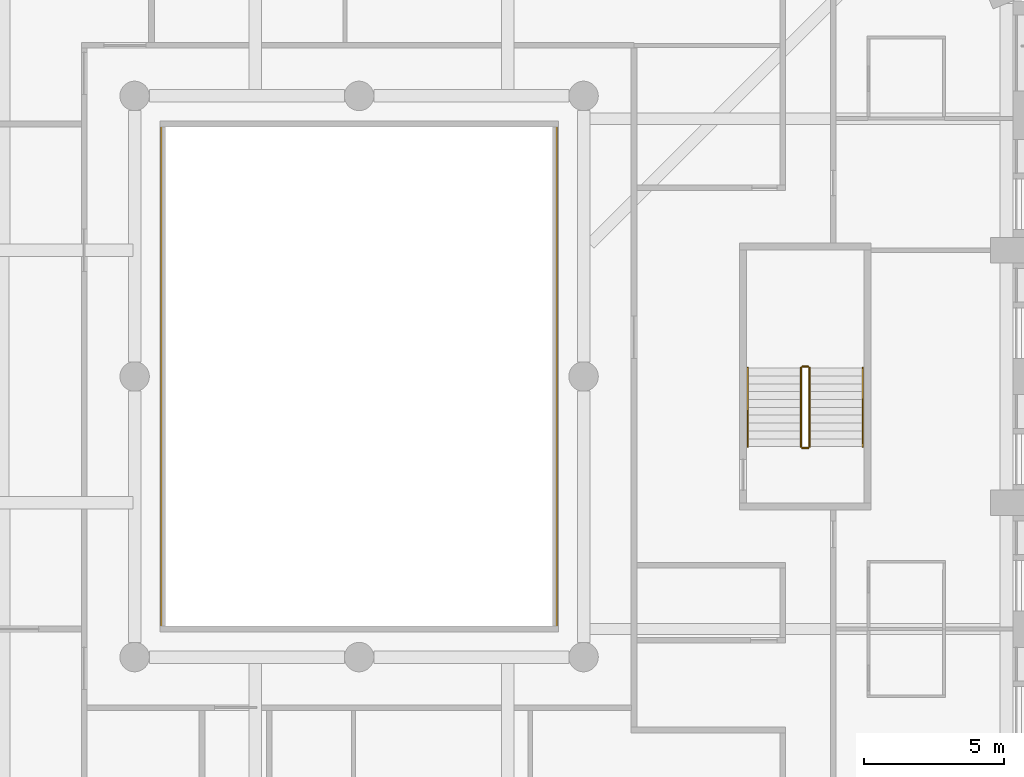
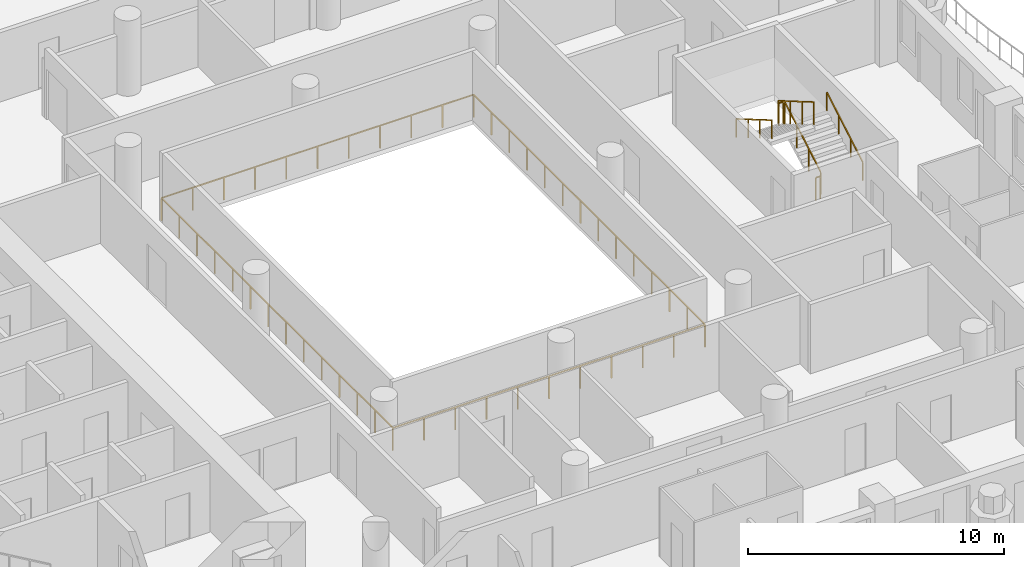
# One storey, part 15 of 20: 7 railings.
"""IFC4 building model written with IfcOpenShell, lengths in metres."""

from ifc_helpers import new_model, si_unit, direction, frame, origin, origin_2d, place, context, subcontext, project, spatial, rectangle, extrude, material, type_object, element, save


model = new_model("IFC4")

# Units and contexts
model_context = context("Model", 3, precision=1e-05, world=origin(), true_north=direction((0.0, 1.0)))
body_context = subcontext(model_context, "Body", "Model", "MODEL_VIEW")
ifc_project = project(units=[si_unit("LENGTHUNIT", "METRE"), si_unit("AREAUNIT", "SQUARE_METRE"), si_unit("VOLUMEUNIT", "CUBIC_METRE"), si_unit("PLANEANGLEUNIT", "RADIAN"), si_unit("MASSUNIT", "GRAM", prefix="KILO")], contexts=[model_context])

# Site, building, storey
site_placement = place(None, origin())
site = spatial("IfcSite", under=ifc_project, at=site_placement, CompositionType="ELEMENT")
building_placement = place(site_placement, origin())
building = spatial("IfcBuilding", under=site, at=building_placement, Name="Cypress Arch Tower", CompositionType="ELEMENT")
storey_placement = place(building_placement, frame((0.0, 0.0, 123.89990234375)))
storey = spatial("IfcBuildingStorey", under=building, at=storey_placement, Name="L26", CompositionType="ELEMENT", Elevation=123.89990234375)

# Railings
ifc_material_1 = material(Name="Stainless steel posts and handrail, laminated glass infill", Category="steel")
railing_type_1 = type_object("IfcRailingType", Name="Atrium guard GR1100A", PredefinedType="GUARDRAIL", material=ifc_material_1)
railing_1_placement = place(storey_placement, frame((8.050048828125, -9.050048828125, 0.0)))
element("IfcRailing", 1, at=railing_1_placement, inside=storey, type_object=railing_type_1, Name="Atrium guard L26", PredefinedType="GUARDRAIL", context=body_context, shape_type="SweptSolid", body=[
    extrude(rectangle(XDim=0.050048828125, YDim=0.050048828125, at=origin_2d()), frame((0.0, 0.0, 1.0751953125), z_axis=(-1.0, 0.0, 0.0), x_axis=(0.0, -1.0, 0.0)), (0.0, 0.0, 1.0), 14.10009765625),
    extrude(rectangle(XDim=0.050048828125, YDim=0.050048828125, at=origin_2d()), frame((-14.10009765625, 0.0, 1.0751953125), z_axis=(0.0, 1.0, 0.0), x_axis=(-1.0, 0.0, 0.0)), (0.0, 0.0, 1.0), 18.10009765625),
    extrude(rectangle(XDim=0.050048828125, YDim=0.050048828125, at=origin_2d()), frame((-14.10009765625, 18.10009765625, 1.0751953125), z_axis=(1.0, 0.0, 0.0), x_axis=(0.0, 1.0, 0.0)), (0.0, 0.0, 1.0), 14.10009765625),
    extrude(rectangle(XDim=0.050048828125, YDim=0.050048828125, at=origin_2d()), frame((0.0, 18.10009765625, 1.0751953125), z_axis=(0.0, -1.0, 0.0), x_axis=(1.0, 0.0, 0.0)), (0.0, 0.0, 1.0), 18.10009765625),
    extrude(rectangle(XDim=0.050048828125, YDim=0.050048828125, at=origin_2d()), origin(), (0.0, 0.0, 1.0), 1.050048828125),
    extrude(rectangle(XDim=0.050048828125, YDim=0.050048828125, at=origin_2d()), frame((-1.409912109375, 0.0, 0.0)), (0.0, 0.0, 1.0), 1.050048828125),
    extrude(rectangle(XDim=0.050048828125, YDim=0.050048828125, at=origin_2d()), frame((-2.820068359375, 0.0, 0.0)), (0.0, 0.0, 1.0), 1.050048828125),
    extrude(rectangle(XDim=0.050048828125, YDim=0.050048828125, at=origin_2d()), frame((-4.22998046875, 0.0, 0.0)), (0.0, 0.0, 1.0), 1.050048828125),
    extrude(rectangle(XDim=0.050048828125, YDim=0.050048828125, at=origin_2d()), frame((-5.64013671875, 0.0, 0.0)), (0.0, 0.0, 1.0), 1.050048828125),
    extrude(rectangle(XDim=0.050048828125, YDim=0.050048828125, at=origin_2d()), frame((-7.050048828125, 0.0, 0.0)), (0.0, 0.0, 1.0), 1.050048828125),
    extrude(rectangle(XDim=0.050048828125, YDim=0.050048828125, at=origin_2d()), frame((-8.4599609375, 0.0, 0.0)), (0.0, 0.0, 1.0), 1.050048828125),
    extrude(rectangle(XDim=0.050048828125, YDim=0.050048828125, at=origin_2d()), frame((-9.8701171875, 0.0, 0.0)), (0.0, 0.0, 1.0), 1.050048828125),
    extrude(rectangle(XDim=0.050048828125, YDim=0.050048828125, at=origin_2d()), frame((-11.280029296875, 0.0, 0.0)), (0.0, 0.0, 1.0), 1.050048828125),
    extrude(rectangle(XDim=0.050048828125, YDim=0.050048828125, at=origin_2d()), frame((-12.690185546875, 0.0, 0.0)), (0.0, 0.0, 1.0), 1.050048828125),
    extrude(rectangle(XDim=0.050048828125, YDim=0.050048828125, at=origin_2d()), frame((-14.10009765625, 0.0, 0.0)), (0.0, 0.0, 1.0), 1.050048828125),
    extrude(rectangle(XDim=0.050048828125, YDim=0.050048828125, at=origin_2d()), frame((-14.10009765625, 1.392333984375, 0.0)), (0.0, 0.0, 1.0), 1.050048828125),
    extrude(rectangle(XDim=0.050048828125, YDim=0.050048828125, at=origin_2d()), frame((-14.10009765625, 2.78466796875, 0.0)), (0.0, 0.0, 1.0), 1.050048828125),
    extrude(rectangle(XDim=0.050048828125, YDim=0.050048828125, at=origin_2d()), frame((-14.10009765625, 4.177001953125, 0.0)), (0.0, 0.0, 1.0), 1.050048828125),
    extrude(rectangle(XDim=0.050048828125, YDim=0.050048828125, at=origin_2d()), frame((-14.10009765625, 5.5693359375, 0.0)), (0.0, 0.0, 1.0), 1.050048828125),
    extrude(rectangle(XDim=0.050048828125, YDim=0.050048828125, at=origin_2d()), frame((-14.10009765625, 6.961669921875, 0.0)), (0.0, 0.0, 1.0), 1.050048828125),
    extrude(rectangle(XDim=0.050048828125, YDim=0.050048828125, at=origin_2d()), frame((-14.10009765625, 8.35400390625, 0.0)), (0.0, 0.0, 1.0), 1.050048828125),
    extrude(rectangle(XDim=0.050048828125, YDim=0.050048828125, at=origin_2d()), frame((-14.10009765625, 9.74609375, 0.0)), (0.0, 0.0, 1.0), 1.050048828125),
    extrude(rectangle(XDim=0.050048828125, YDim=0.050048828125, at=origin_2d()), frame((-14.10009765625, 11.138427734375, 0.0)), (0.0, 0.0, 1.0), 1.050048828125),
    extrude(rectangle(XDim=0.050048828125, YDim=0.050048828125, at=origin_2d()), frame((-14.10009765625, 12.53076171875, 0.0)), (0.0, 0.0, 1.0), 1.050048828125),
    extrude(rectangle(XDim=0.050048828125, YDim=0.050048828125, at=origin_2d()), frame((-14.10009765625, 13.923095703125, 0.0)), (0.0, 0.0, 1.0), 1.050048828125),
    extrude(rectangle(XDim=0.050048828125, YDim=0.050048828125, at=origin_2d()), frame((-14.10009765625, 15.3154296875, 0.0)), (0.0, 0.0, 1.0), 1.050048828125),
    extrude(rectangle(XDim=0.050048828125, YDim=0.050048828125, at=origin_2d()), frame((-14.10009765625, 16.707763671875, 0.0)), (0.0, 0.0, 1.0), 1.050048828125),
    extrude(rectangle(XDim=0.050048828125, YDim=0.050048828125, at=origin_2d()), frame((-14.10009765625, 18.10009765625, 0.0)), (0.0, 0.0, 1.0), 1.050048828125),
    extrude(rectangle(XDim=0.050048828125, YDim=0.050048828125, at=origin_2d()), frame((-12.690185546875, 18.10009765625, 0.0)), (0.0, 0.0, 1.0), 1.050048828125),
    extrude(rectangle(XDim=0.050048828125, YDim=0.050048828125, at=origin_2d()), frame((-11.280029296875, 18.10009765625, 0.0)), (0.0, 0.0, 1.0), 1.050048828125),
    extrude(rectangle(XDim=0.050048828125, YDim=0.050048828125, at=origin_2d()), frame((-9.8701171875, 18.10009765625, 0.0)), (0.0, 0.0, 1.0), 1.050048828125),
    extrude(rectangle(XDim=0.050048828125, YDim=0.050048828125, at=origin_2d()), frame((-8.4599609375, 18.10009765625, 0.0)), (0.0, 0.0, 1.0), 1.050048828125),
    extrude(rectangle(XDim=0.050048828125, YDim=0.050048828125, at=origin_2d()), frame((-7.050048828125, 18.10009765625, 0.0)), (0.0, 0.0, 1.0), 1.050048828125),
    extrude(rectangle(XDim=0.050048828125, YDim=0.050048828125, at=origin_2d()), frame((-5.64013671875, 18.10009765625, 0.0)), (0.0, 0.0, 1.0), 1.050048828125),
    extrude(rectangle(XDim=0.050048828125, YDim=0.050048828125, at=origin_2d()), frame((-4.22998046875, 18.10009765625, 0.0)), (0.0, 0.0, 1.0), 1.050048828125),
    extrude(rectangle(XDim=0.050048828125, YDim=0.050048828125, at=origin_2d()), frame((-2.820068359375, 18.10009765625, 0.0)), (0.0, 0.0, 1.0), 1.050048828125),
    extrude(rectangle(XDim=0.050048828125, YDim=0.050048828125, at=origin_2d()), frame((-1.409912109375, 18.10009765625, 0.0)), (0.0, 0.0, 1.0), 1.050048828125),
    extrude(rectangle(XDim=0.050048828125, YDim=0.050048828125, at=origin_2d()), frame((0.0, 18.10009765625, 0.0)), (0.0, 0.0, 1.0), 1.050048828125),
    extrude(rectangle(XDim=0.050048828125, YDim=0.050048828125, at=origin_2d()), frame((0.0, 16.707763671875, 0.0)), (0.0, 0.0, 1.0), 1.050048828125),
    extrude(rectangle(XDim=0.050048828125, YDim=0.050048828125, at=origin_2d()), frame((0.0, 15.3154296875, 0.0)), (0.0, 0.0, 1.0), 1.050048828125),
    extrude(rectangle(XDim=0.050048828125, YDim=0.050048828125, at=origin_2d()), frame((0.0, 13.923095703125, 0.0)), (0.0, 0.0, 1.0), 1.050048828125),
    extrude(rectangle(XDim=0.050048828125, YDim=0.050048828125, at=origin_2d()), frame((0.0, 12.53076171875, 0.0)), (0.0, 0.0, 1.0), 1.050048828125),
    extrude(rectangle(XDim=0.050048828125, YDim=0.050048828125, at=origin_2d()), frame((0.0, 11.138427734375, 0.0)), (0.0, 0.0, 1.0), 1.050048828125),
    extrude(rectangle(XDim=0.050048828125, YDim=0.050048828125, at=origin_2d()), frame((0.0, 9.74609375, 0.0)), (0.0, 0.0, 1.0), 1.050048828125),
    extrude(rectangle(XDim=0.050048828125, YDim=0.050048828125, at=origin_2d()), frame((0.0, 8.35400390625, 0.0)), (0.0, 0.0, 1.0), 1.050048828125),
    extrude(rectangle(XDim=0.050048828125, YDim=0.050048828125, at=origin_2d()), frame((0.0, 6.961669921875, 0.0)), (0.0, 0.0, 1.0), 1.050048828125),
    extrude(rectangle(XDim=0.050048828125, YDim=0.050048828125, at=origin_2d()), frame((0.0, 5.5693359375, 0.0)), (0.0, 0.0, 1.0), 1.050048828125),
    extrude(rectangle(XDim=0.050048828125, YDim=0.050048828125, at=origin_2d()), frame((0.0, 4.177001953125, 0.0)), (0.0, 0.0, 1.0), 1.050048828125),
    extrude(rectangle(XDim=0.050048828125, YDim=0.050048828125, at=origin_2d()), frame((0.0, 2.78466796875, 0.0)), (0.0, 0.0, 1.0), 1.050048828125),
    extrude(rectangle(XDim=0.050048828125, YDim=0.050048828125, at=origin_2d()), frame((0.0, 1.392333984375, 0.0)), (0.0, 0.0, 1.0), 1.050048828125),
])
ifc_material_2 = material(Name="Black powder-coated steel square bar 48 mm", Category="steel")
railing_type_2 = type_object("IfcRailingType", Name="Stair handrail HR1", PredefinedType="HANDRAIL", material=ifc_material_2)
railing_2_placement = place(storey_placement, frame((18.949951171875, -2.5, 0.163818359375)))
element("IfcRailing", 2, at=railing_2_placement, inside=storey, type_object=railing_type_2, Name="L26 C stair handrail 1", PredefinedType="HANDRAIL", context=body_context, shape_type="SweptSolid", body=[
    extrude(rectangle(XDim=0.048095703125, YDim=0.048095703125, at=origin_2d()), frame((0.0, 0.0, 0.8759765625), z_axis=(0.0, 0.863393664356, 0.504530851732), x_axis=(-1.0, 0.0, 0.0)), (0.0, 0.0, 1.0), 3.2431640625),
    extrude(rectangle(XDim=0.0419921875, YDim=0.0419921875, at=origin_2d()), origin(), (0.0, 0.0, 1.0), 0.851806640625),
    extrude(rectangle(XDim=0.0419921875, YDim=0.0419921875, at=origin_2d()), frame((0.0, 0.933349609375, 0.54541015625)), (0.0, 0.0, 1.0), 0.851806640625),
    extrude(rectangle(XDim=0.0419921875, YDim=0.0419921875, at=origin_2d()), frame((0.0, 1.86669921875, 1.0908203125)), (0.0, 0.0, 1.0), 0.851806640625),
    extrude(rectangle(XDim=0.0419921875, YDim=0.0419921875, at=origin_2d()), frame((0.0, 2.800048828125, 1.63623046875)), (0.0, 0.0, 1.0), 0.851806640625),
])
railing_3_placement = place(storey_placement, frame((14.85009765625, 0.300048828125, 1.963623046875)))
element("IfcRailing", 3, at=railing_3_placement, inside=storey, type_object=railing_type_2, Name="L26 C stair handrail 2", PredefinedType="HANDRAIL", context=body_context, shape_type="SweptSolid", body=[
    extrude(rectangle(XDim=0.048095703125, YDim=0.048095703125, at=origin_2d()), frame((0.0, 0.0, 0.8759765625), z_axis=(0.0, -0.863360870873, 0.504586966384), x_axis=(1.0, 0.0, 0.0)), (0.0, 0.0, 1.0), 3.2431640625),
    extrude(rectangle(XDim=0.0419921875, YDim=0.0419921875, at=origin_2d()), origin(), (0.0, 0.0, 1.0), 0.851806640625),
    extrude(rectangle(XDim=0.0419921875, YDim=0.0419921875, at=origin_2d()), frame((0.0, -0.933349609375, 0.54541015625)), (0.0, 0.0, 1.0), 0.851806640625),
    extrude(rectangle(XDim=0.0419921875, YDim=0.0419921875, at=origin_2d()), frame((0.0, -1.86669921875, 1.091064453125)), (0.0, 0.0, 1.0), 0.851806640625),
    extrude(rectangle(XDim=0.0419921875, YDim=0.0419921875, at=origin_2d()), frame((0.0, -2.800048828125, 1.636474609375)), (0.0, 0.0, 1.0), 0.851806640625),
])
ifc_material_3 = material(Name="Black powder-coated steel balusters", Category="steel")
railing_type_3 = type_object("IfcRailingType", Name="Stair well guard G1", PredefinedType="GUARDRAIL", material=ifc_material_3)
railing_4_placement = place(storey_placement, frame((17.050048828125, -2.5, 0.163818359375)))
element("IfcRailing", 4, at=railing_4_placement, inside=storey, type_object=railing_type_3, Name="L26 C stair guard 1", PredefinedType="GUARDRAIL", context=body_context, shape_type="SweptSolid", body=[
    extrude(rectangle(XDim=0.048095703125, YDim=0.048095703125, at=origin_2d()), frame((0.0, 0.0, 1.076171875), z_axis=(0.0, 0.863393664356, 0.504530851732), x_axis=(-1.0, 0.0, 0.0)), (0.0, 0.0, 1.0), 3.2431640625),
    extrude(rectangle(XDim=0.0419921875, YDim=0.0419921875, at=origin_2d()), origin(), (0.0, 0.0, 1.0), 1.052001953125),
    extrude(rectangle(XDim=0.0419921875, YDim=0.0419921875, at=origin_2d()), frame((0.0, 0.933349609375, 0.54541015625)), (0.0, 0.0, 1.0), 1.052001953125),
    extrude(rectangle(XDim=0.0419921875, YDim=0.0419921875, at=origin_2d()), frame((0.0, 1.86669921875, 1.0908203125)), (0.0, 0.0, 1.0), 1.052001953125),
    extrude(rectangle(XDim=0.0419921875, YDim=0.0419921875, at=origin_2d()), frame((0.0, 2.800048828125, 1.63623046875)), (0.0, 0.0, 1.0), 1.052001953125),
])
railing_5_placement = place(storey_placement, frame((17.0, 0.35009765625, 1.800048828125)))
element("IfcRailing", 5, at=railing_5_placement, inside=storey, type_object=railing_type_3, Name="L26 C stair guard 2", PredefinedType="GUARDRAIL", context=body_context, shape_type="SweptSolid", body=[
    extrude(rectangle(XDim=0.048095703125, YDim=0.048095703125, at=origin_2d()), frame((0.0, 0.0, 1.076171875), z_axis=(-1.0, 0.0, 0.0), x_axis=(0.0, -1.0, 0.0)), (0.0, 0.0, 1.0), 0.199951171875),
    extrude(rectangle(XDim=0.0419921875, YDim=0.0419921875, at=origin_2d()), origin(), (0.0, 0.0, 1.0), 1.052001953125),
    extrude(rectangle(XDim=0.0419921875, YDim=0.0419921875, at=origin_2d()), frame((-0.199951171875, 0.0, 0.0)), (0.0, 0.0, 1.0), 1.052001953125),
])
railing_6_placement = place(storey_placement, frame((16.75, 0.300048828125, 1.963623046875)))
element("IfcRailing", 6, at=railing_6_placement, inside=storey, type_object=railing_type_3, Name="L26 C stair guard 3", PredefinedType="GUARDRAIL", context=body_context, shape_type="SweptSolid", body=[
    extrude(rectangle(XDim=0.048095703125, YDim=0.048095703125, at=origin_2d()), frame((0.0, 0.0, 1.076171875), z_axis=(0.0, -0.863360870873, 0.504586966384), x_axis=(1.0, 0.0, 0.0)), (0.0, 0.0, 1.0), 3.2431640625),
    extrude(rectangle(XDim=0.0419921875, YDim=0.0419921875, at=origin_2d()), origin(), (0.0, 0.0, 1.0), 1.052001953125),
    extrude(rectangle(XDim=0.0419921875, YDim=0.0419921875, at=origin_2d()), frame((0.0, -0.933349609375, 0.54541015625)), (0.0, 0.0, 1.0), 1.052001953125),
    extrude(rectangle(XDim=0.0419921875, YDim=0.0419921875, at=origin_2d()), frame((0.0, -1.86669921875, 1.091064453125)), (0.0, 0.0, 1.0), 1.052001953125),
    extrude(rectangle(XDim=0.0419921875, YDim=0.0419921875, at=origin_2d()), frame((0.0, -2.800048828125, 1.636474609375)), (0.0, 0.0, 1.0), 1.052001953125),
])
railing_7_placement = place(storey_placement, frame((17.0, -2.550048828125, 0.0)))
element("IfcRailing", 7, at=railing_7_placement, inside=storey, type_object=railing_type_3, Name="L26 C stair guard 4", PredefinedType="GUARDRAIL", context=body_context, shape_type="SweptSolid", body=[
    extrude(rectangle(XDim=0.048095703125, YDim=0.048095703125, at=origin_2d()), frame((0.0, 0.0, 1.076171875), z_axis=(-1.0, 0.0, 0.0), x_axis=(0.0, -1.0, 0.0)), (0.0, 0.0, 1.0), 0.199951171875),
    extrude(rectangle(XDim=0.0419921875, YDim=0.0419921875, at=origin_2d()), origin(), (0.0, 0.0, 1.0), 1.052001953125),
    extrude(rectangle(XDim=0.0419921875, YDim=0.0419921875, at=origin_2d()), frame((-0.199951171875, 0.0, 0.0)), (0.0, 0.0, 1.0), 1.052001953125),
])

save(model, "model.ifc")
